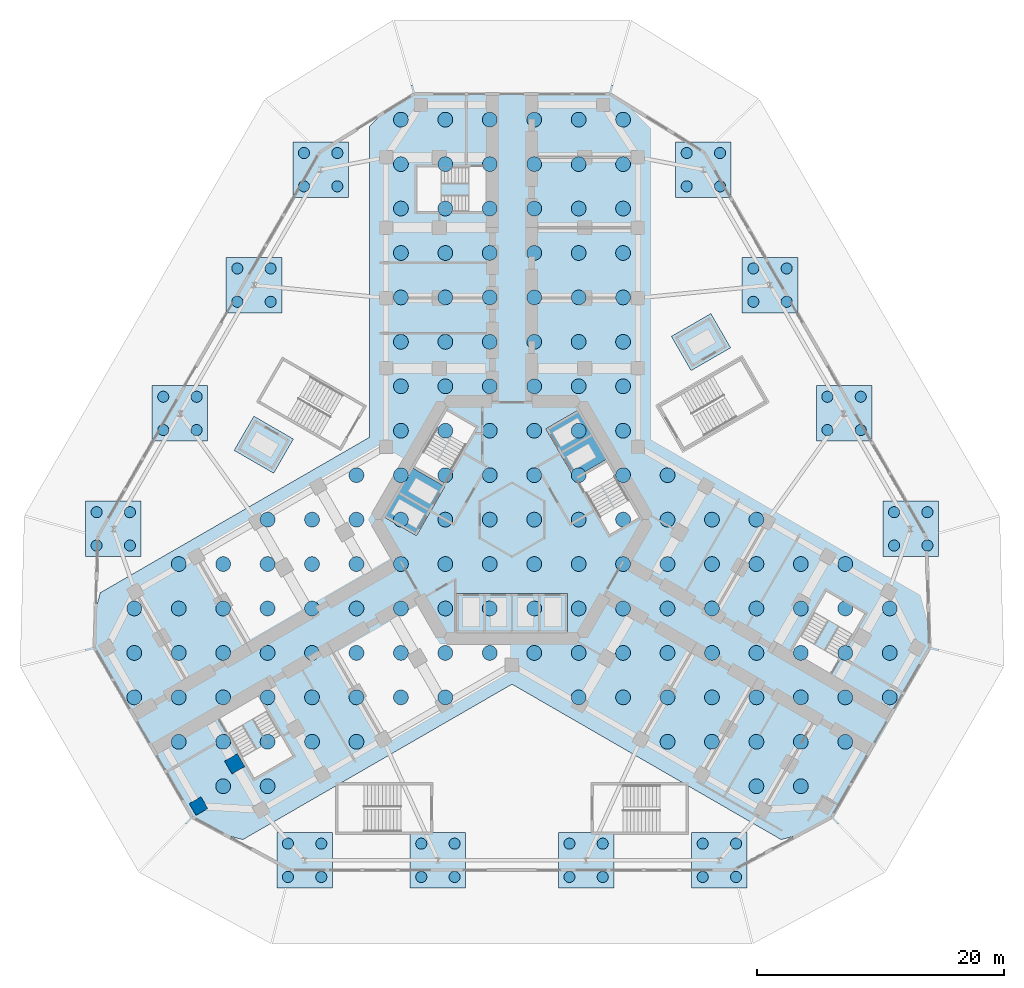
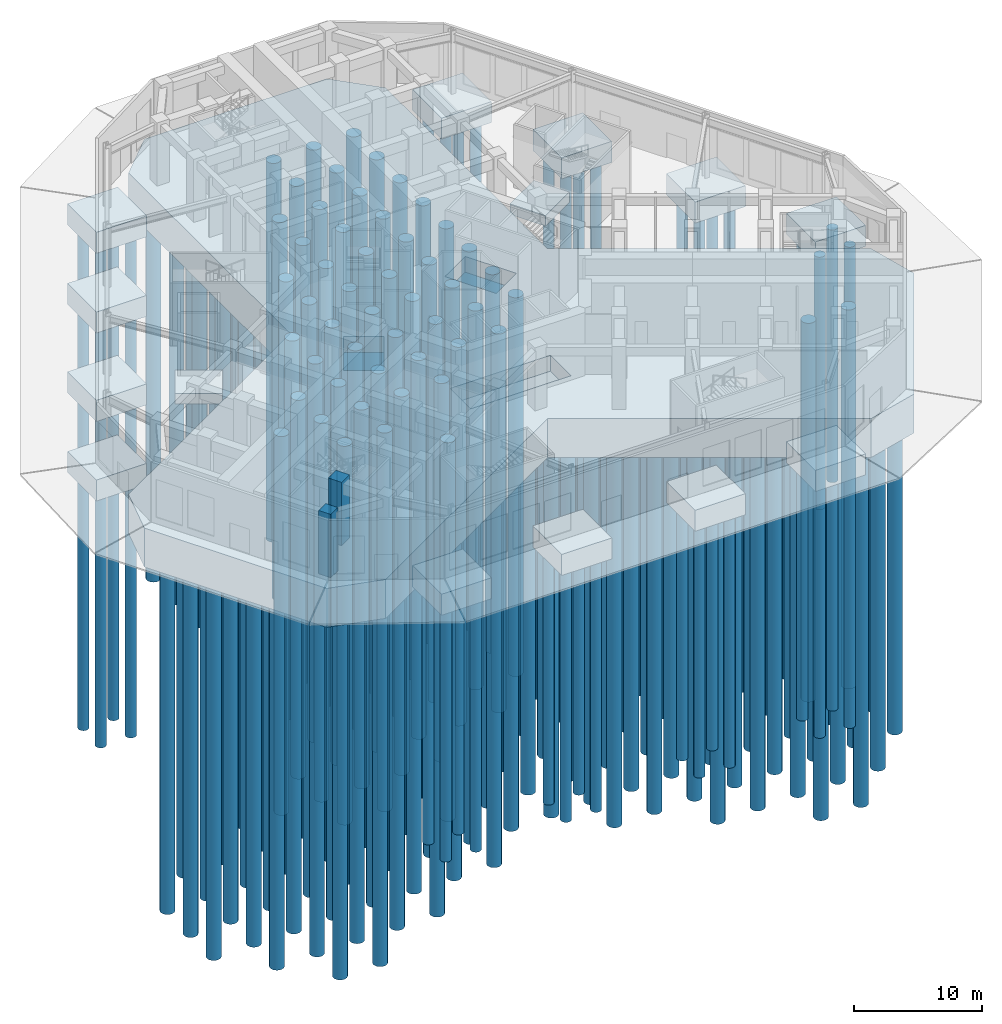
# One storey, part 1 of 16: 198 piles, 18 footings, 2 columns.
"""IFC4 building model written with IfcOpenShell, lengths in metres."""

from ifc_helpers import new_model, si_unit, direction, frame, origin, origin_2d, place, context, subcontext, project, spatial, polyline, rectangle, circle, outline, extrude, material, layer, layer_set, material_profile, profile_set, type_object, element, save


model = new_model("IFC4")

# Units and contexts
model_context = context("Model", 3, precision=1e-05, world=origin(), true_north=direction((0.0, 1.0)))
body_context = subcontext(model_context, "Body", "Model", "MODEL_VIEW")
ifc_project = project(units=[si_unit("LENGTHUNIT", "METRE"), si_unit("AREAUNIT", "SQUARE_METRE"), si_unit("VOLUMEUNIT", "CUBIC_METRE"), si_unit("PLANEANGLEUNIT", "RADIAN"), si_unit("MASSUNIT", "GRAM", prefix="KILO")], contexts=[model_context])

# Site, building, storey
site_placement = place(None, origin())
site = spatial("IfcSite", under=ifc_project, at=site_placement, CompositionType="ELEMENT")
building_placement = place(site_placement, origin())
building = spatial("IfcBuilding", under=site, at=building_placement, Name="Kosmar Iwan School Tower", CompositionType="ELEMENT")
storey_placement = place(building_placement, origin())
storey = spatial("IfcBuildingStorey", under=building, at=storey_placement, Name="L00", CompositionType="ELEMENT", Elevation=0.0)

# Piles
ifc_material_1 = material(Name="Concrete C35/45", Category="concrete")
ifc_material_profile_1 = material_profile(ifc_material_1, circle(Radius=0.60009765625, at=origin_2d()), Name="D1200")
ifc_profile_set_1 = profile_set([ifc_material_profile_1], Name="Concrete C35/45")
pile_type_1 = type_object("IfcPileType", Name="Bored pile D1200", PredefinedType="BORED", material=ifc_profile_set_1)
for number, where, z_axis, x_axis, name in (
    (1, (-23.39990234375, -21.60009765625, -4.0), (0.0, 0.0, -1.0), (1.0, 0.0, 0.0), "Raft pile 1"),
    (2, (-19.800048828125, -21.60009765625, -4.0), (0.0, 0.0, -1.0), (1.0, 0.0, 0.0), "Raft pile 2"),
    (3, (19.800048828125, -21.60009765625, -4.0), (0.0, 0.0, -1.0), (1.0, 0.0, 0.0), "Raft pile 3"),
    (4, (23.39990234375, -21.60009765625, -4.0), (0.0, 0.0, -1.0), (1.0, 0.0, 0.0), "Raft pile 4"),
    (5, (-27.0, -18.0, -4.0), (0.0, 0.0, -1.0), (1.0, 0.0, 0.0), "Raft pile 5"),
    (6, (-23.39990234375, -18.0, -4.0), (0.0, 0.0, -1.0), (1.0, 0.0, 0.0), "Raft pile 6"),
    (7, (-19.800048828125, -18.0, -4.0), (0.0, 0.0, -1.0), (1.0, 0.0, 0.0), "Raft pile 7"),
    (8, (-16.199951171875, -18.0, -4.0), (0.0, 0.0, -1.0), (1.0, 0.0, 0.0), "Raft pile 8"),
    (9, (-12.60009765625, -18.0, -4.0), (0.0, 0.0, -1.0), (1.0, 0.0, 0.0), "Raft pile 9"),
    (10, (12.60009765625, -18.0, -4.0), (0.0, 0.0, -1.0), (1.0, 0.0, 0.0), "Raft pile 10"),
    (11, (16.199951171875, -18.0, -4.0), (0.0, 0.0, -1.0), (1.0, 0.0, 0.0), "Raft pile 11"),
    (12, (19.800048828125, -18.0, -4.0), (0.0, 0.0, -1.0), (1.0, 0.0, 0.0), "Raft pile 12"),
    (13, (23.39990234375, -18.0, -4.0), (0.0, 0.0, -1.0), (1.0, 0.0, 0.0), "Raft pile 13"),
    (14, (27.0, -18.0, -4.0), (0.0, 0.0, -1.0), (1.0, 0.0, 0.0), "Raft pile 14"),
    (15, (-30.60009765625, -14.39990234375, -4.0), (0.0, 0.0, -1.0), (1.0, 0.0, 0.0), "Raft pile 15"),
    (16, (-27.0, -14.39990234375, -4.0), (0.0, 0.0, -1.0), (1.0, 0.0, 0.0), "Raft pile 16"),
    (17, (-23.39990234375, -14.39990234375, -4.0), (0.0, 0.0, -1.0), (1.0, 0.0, 0.0), "Raft pile 17"),
    (18, (-19.800048828125, -14.39990234375, -4.0), (0.0, 0.0, -1.0), (1.0, 0.0, 0.0), "Raft pile 18"),
    (19, (-16.199951171875, -14.39990234375, -4.0), (0.0, 0.0, -1.0), (1.0, 0.0, 0.0), "Raft pile 19"),
    (20, (-12.60009765625, -14.39990234375, -4.0), (0.0, 0.0, -1.0), (1.0, 0.0, 0.0), "Raft pile 20"),
    (21, (-9.0, -14.39990234375, -4.0), (0.0, 0.0, -1.0), (1.0, 0.0, 0.0), "Raft pile 21"),
    (22, (-5.39990234375, -14.39990234375, -4.0), (0.0, 0.0, -1.0), (1.0, 0.0, 0.0), "Raft pile 22"),
    (23, (5.39990234375, -14.39990234375, -4.0), (0.0, 0.0, -1.0), (1.0, 0.0, 0.0), "Raft pile 23"),
    (24, (9.0, -14.39990234375, -4.0), (0.0, 0.0, -1.0), (1.0, 0.0, 0.0), "Raft pile 24"),
    (25, (12.60009765625, -14.39990234375, -4.0), (0.0, 0.0, -1.0), (1.0, 0.0, 0.0), "Raft pile 25"),
    (26, (16.199951171875, -14.39990234375, -4.0), (0.0, 0.0, -1.0), (1.0, 0.0, 0.0), "Raft pile 26"),
    (27, (19.800048828125, -14.39990234375, -4.0), (0.0, 0.0, -1.0), (1.0, 0.0, 0.0), "Raft pile 27"),
    (28, (23.39990234375, -14.39990234375, -4.0), (0.0, 0.0, -1.0), (1.0, 0.0, 0.0), "Raft pile 28"),
    (29, (27.0, -14.39990234375, -4.0), (0.0, 0.0, -1.0), (1.0, 0.0, 0.0), "Raft pile 29"),
    (30, (30.60009765625, -14.39990234375, -4.0), (0.0, 0.0, -1.0), (1.0, 0.0, 0.0), "Raft pile 30"),
    (31, (-30.60009765625, -10.800048828125, -4.0), (0.0, 0.0, -1.0), (1.0, 0.0, 0.0), "Raft pile 31"),
    (32, (-27.0, -10.800048828125, -4.0), (0.0, 0.0, -1.0), (1.0, 0.0, 0.0), "Raft pile 32"),
    (33, (-23.39990234375, -10.800048828125, -4.0), (0.0, 0.0, -1.0), (1.0, 0.0, 0.0), "Raft pile 33"),
    (34, (-19.800048828125, -10.800048828125, -4.0), (0.0, 0.0, -1.0), (1.0, 0.0, 0.0), "Raft pile 34"),
    (35, (-16.199951171875, -10.800048828125, -4.0), (0.0, 0.0, -1.0), (1.0, 0.0, 0.0), "Raft pile 35"),
    (36, (-12.60009765625, -10.800048828125, -4.0), (0.0, 0.0, -1.0), (1.0, 0.0, 0.0), "Raft pile 36"),
    (37, (-9.0, -10.800048828125, -4.0), (0.0, 0.0, -1.0), (1.0, 0.0, 0.0), "Raft pile 37"),
    (38, (-5.39990234375, -10.800048828125, -4.0), (0.0, 0.0, -1.0), (1.0, 0.0, 0.0), "Raft pile 38"),
    (39, (-1.800048828125, -10.800048828125, -4.0), (0.0, 0.0, -1.0), (1.0, 0.0, 0.0), "Raft pile 39"),
    (40, (1.800048828125, -10.800048828125, -4.0), (0.0, 0.0, -1.0), (1.0, 0.0, 0.0), "Raft pile 40"),
    (41, (5.39990234375, -10.800048828125, -4.0), (0.0, 0.0, -1.0), (1.0, 0.0, 0.0), "Raft pile 41"),
    (42, (9.0, -10.800048828125, -4.0), (0.0, 0.0, -1.0), (1.0, 0.0, 0.0), "Raft pile 42"),
    (43, (12.60009765625, -10.800048828125, -4.0), (0.0, 0.0, -1.0), (1.0, 0.0, 0.0), "Raft pile 43"),
    (44, (16.199951171875, -10.800048828125, -4.0), (0.0, 0.0, -1.0), (1.0, 0.0, 0.0), "Raft pile 44"),
    (45, (19.800048828125, -10.800048828125, -4.0), (0.0, 0.0, -1.0), (1.0, 0.0, 0.0), "Raft pile 45"),
    (46, (23.39990234375, -10.800048828125, -4.0), (0.0, 0.0, -1.0), (1.0, 0.0, 0.0), "Raft pile 46"),
    (47, (27.0, -10.800048828125, -4.0), (0.0, 0.0, -1.0), (1.0, 0.0, 0.0), "Raft pile 47"),
    (48, (30.60009765625, -10.800048828125, -4.0), (0.0, 0.0, -1.0), (1.0, 0.0, 0.0), "Raft pile 48"),
    (49, (-30.60009765625, -7.199951171875, -4.0), (0.0, 0.0, -1.0), (1.0, 0.0, 0.0), "Raft pile 49"),
    (50, (-27.0, -7.199951171875, -4.0), (0.0, 0.0, -1.0), (1.0, 0.0, 0.0), "Raft pile 50"),
    (51, (-23.39990234375, -7.199951171875, -4.0), (0.0, 0.0, -1.0), (1.0, 0.0, 0.0), "Raft pile 51"),
    (52, (-19.800048828125, -7.199951171875, -4.0), (0.0, 0.0, -1.0), (1.0, 0.0, 0.0), "Raft pile 52"),
    (53, (-16.199951171875, -7.199951171875, -4.0), (0.0, 0.0, -1.0), (1.0, 0.0, 0.0), "Raft pile 53"),
    (54, (-12.60009765625, -7.199951171875, -4.0), (0.0, 0.0, -1.0), (1.0, 0.0, 0.0), "Raft pile 54"),
    (55, (-9.0, -7.199951171875, -4.0), (0.0, 0.0, -1.0), (1.0, 0.0, 0.0), "Raft pile 55"),
    (56, (-5.39990234375, -7.199951171875, -4.0), (0.0, 0.0, -1.0), (1.0, 0.0, 0.0), "Raft pile 56"),
    (57, (-1.800048828125, -7.199951171875, -4.0), (0.0, 0.0, -1.0), (1.0, 0.0, 0.0), "Raft pile 57"),
    (58, (1.800048828125, -7.199951171875, -4.0), (0.0, 0.0, -1.0), (1.0, 0.0, 0.0), "Raft pile 58"),
    (59, (5.39990234375, -7.199951171875, -4.0), (0.0, 0.0, -1.0), (1.0, 0.0, 0.0), "Raft pile 59"),
    (60, (9.0, -7.199951171875, -4.0), (0.0, 0.0, -1.0), (1.0, 0.0, 0.0), "Raft pile 60"),
    (61, (12.60009765625, -7.199951171875, -4.0), (0.0, 0.0, -1.0), (1.0, 0.0, 0.0), "Raft pile 61"),
    (62, (16.199951171875, -7.199951171875, -4.0), (0.0, 0.0, -1.0), (1.0, 0.0, 0.0), "Raft pile 62"),
    (63, (19.800048828125, -7.199951171875, -4.0), (0.0, 0.0, -1.0), (1.0, 0.0, 0.0), "Raft pile 63"),
    (64, (23.39990234375, -7.199951171875, -4.0), (0.0, 0.0, -1.0), (1.0, 0.0, 0.0), "Raft pile 64"),
    (65, (27.0, -7.199951171875, -4.0), (0.0, 0.0, -1.0), (1.0, 0.0, 0.0), "Raft pile 65"),
    (66, (30.60009765625, -7.199951171875, -4.0), (0.0, 0.0, -1.0), (1.0, 0.0, 0.0), "Raft pile 66"),
    (67, (-27.0, -3.60009765625, -4.0), (0.0, 0.0, -1.0), (1.0, 0.0, 0.0), "Raft pile 67"),
    (68, (-23.39990234375, -3.60009765625, -4.0), (0.0, 0.0, -1.0), (1.0, 0.0, 0.0), "Raft pile 68"),
    (69, (-19.800048828125, -3.60009765625, -4.0), (0.0, 0.0, -1.0), (1.0, 0.0, 0.0), "Raft pile 69"),
    (70, (-16.199951171875, -3.60009765625, -4.0), (0.0, 0.0, -1.0), (1.0, 0.0, 0.0), "Raft pile 70"),
    (71, (-12.60009765625, -3.60009765625, -4.0), (0.0, 0.0, -1.0), (1.0, 0.0, 0.0), "Raft pile 71"),
    (72, (-9.0, -3.60009765625, -4.0), (0.0, 0.0, -1.0), (1.0, 0.0, 0.0), "Raft pile 72"),
    (73, (-5.39990234375, -3.60009765625, -4.0), (0.0, 0.0, -1.0), (1.0, 0.0, 0.0), "Raft pile 73"),
    (74, (-1.800048828125, -3.60009765625, -4.0), (0.0, 0.0, -1.0), (1.0, 0.0, 0.0), "Raft pile 74"),
    (75, (1.800048828125, -3.60009765625, -4.0), (0.0, 0.0, -1.0), (1.0, 0.0, 0.0), "Raft pile 75"),
    (76, (5.39990234375, -3.60009765625, -4.0), (0.0, 0.0, -1.0), (1.0, 0.0, 0.0), "Raft pile 76"),
    (77, (9.0, -3.60009765625, -4.0), (0.0, 0.0, -1.0), (1.0, 0.0, 0.0), "Raft pile 77"),
    (78, (12.60009765625, -3.60009765625, -4.0), (0.0, 0.0, -1.0), (1.0, 0.0, 0.0), "Raft pile 78"),
    (79, (16.199951171875, -3.60009765625, -4.0), (0.0, 0.0, -1.0), (1.0, 0.0, 0.0), "Raft pile 79"),
    (80, (19.800048828125, -3.60009765625, -4.0), (0.0, 0.0, -1.0), (1.0, 0.0, 0.0), "Raft pile 80"),
    (81, (23.39990234375, -3.60009765625, -4.0), (0.0, 0.0, -1.0), (1.0, 0.0, 0.0), "Raft pile 81"),
    (82, (27.0, -3.60009765625, -4.0), (0.0, 0.0, -1.0), (1.0, 0.0, 0.0), "Raft pile 82"),
    (83, (-19.800048828125, 0.0, -4.0), (0.0, 0.0, -1.0), (1.0, 0.0, 0.0), "Raft pile 83"),
    (84, (-16.199951171875, 0.0, -4.0), (0.0, 0.0, -1.0), (1.0, 0.0, 0.0), "Raft pile 84"),
    (85, (-12.60009765625, 0.0, -4.0), (0.0, 0.0, -1.0), (1.0, 0.0, 0.0), "Raft pile 85"),
    (86, (-9.0, 0.0, -4.0), (0.0, 0.0, -1.0), (1.0, 0.0, 0.0), "Raft pile 86"),
    (87, (-5.39990234375, 0.0, -4.0), (0.0, 0.0, -1.0), (1.0, 0.0, 0.0), "Raft pile 87"),
    (88, (-1.800048828125, 0.0, -4.0), (0.0, 0.0, -1.0), (1.0, 0.0, 0.0), "Raft pile 88"),
    (89, (1.800048828125, 0.0, -4.0), (0.0, 0.0, -1.0), (1.0, 0.0, 0.0), "Raft pile 89"),
    (90, (5.39990234375, 0.0, -4.0), (0.0, 0.0, -1.0), (1.0, 0.0, 0.0), "Raft pile 90"),
    (91, (9.0, 0.0, -4.0), (0.0, 0.0, -1.0), (1.0, 0.0, 0.0), "Raft pile 91"),
    (92, (12.60009765625, 0.0, -4.0), (0.0, 0.0, -1.0), (1.0, 0.0, 0.0), "Raft pile 92"),
    (93, (16.199951171875, 0.0, -4.0), (0.0, 0.0, -1.0), (1.0, 0.0, 0.0), "Raft pile 93"),
    (94, (19.800048828125, 0.0, -4.0), (0.0, 0.0, -1.0), (1.0, 0.0, 0.0), "Raft pile 94"),
    (95, (-12.60009765625, 3.60009765625, -4.0), (0.0, 0.0, -1.0), (1.0, 0.0, 0.0), "Raft pile 95"),
    (96, (-9.0, 3.60009765625, -4.0), (0.0, 0.0, -1.0), (1.0, 0.0, 0.0), "Raft pile 96"),
    (97, (-5.39990234375, 3.60009765625, -4.0), (0.0, 0.0, -1.0), (1.0, 0.0, 0.0), "Raft pile 97"),
    (98, (-1.800048828125, 3.60009765625, -4.0), (0.0, 0.0, -1.0), (1.0, 0.0, 0.0), "Raft pile 98"),
    (99, (1.800048828125, 3.60009765625, -4.0), (0.0, 0.0, -1.0), (1.0, 0.0, 0.0), "Raft pile 99"),
    (100, (5.39990234375, 3.60009765625, -4.0), (0.0, 0.0, -1.0), (1.0, 0.0, 0.0), "Raft pile 100"),
    (101, (9.0, 3.60009765625, -4.0), (0.0, 0.0, -1.0), (1.0, 0.0, 0.0), "Raft pile 101"),
    (102, (12.60009765625, 3.60009765625, -4.0), (0.0, 0.0, -1.0), (1.0, 0.0, 0.0), "Raft pile 102"),
    (103, (-9.0, 7.199951171875, -4.0), (0.0, 0.0, -1.0), (1.0, 0.0, 0.0), "Raft pile 103"),
    (104, (-5.39990234375, 7.199951171875, -4.0), (0.0, 0.0, -1.0), (1.0, 0.0, 0.0), "Raft pile 104"),
    (105, (-1.800048828125, 7.199951171875, -4.0), (0.0, 0.0, -1.0), (1.0, 0.0, 0.0), "Raft pile 105"),
    (106, (1.800048828125, 7.199951171875, -4.0), (0.0, 0.0, -1.0), (1.0, 0.0, 0.0), "Raft pile 106"),
    (107, (5.39990234375, 7.199951171875, -4.0), (0.0, 0.0, -1.0), (1.0, 0.0, 0.0), "Raft pile 107"),
    (108, (9.0, 7.199951171875, -4.0), (0.0, 0.0, -1.0), (1.0, 0.0, 0.0), "Raft pile 108"),
    (109, (-9.0, 10.800048828125, -4.0), (0.0, 0.0, -1.0), (1.0, 0.0, 0.0), "Raft pile 109"),
    (110, (-5.39990234375, 10.800048828125, -4.0), (0.0, 0.0, -1.0), (1.0, 0.0, 0.0), "Raft pile 110"),
    (111, (-1.800048828125, 10.800048828125, -4.0), (0.0, 0.0, -1.0), (1.0, 0.0, 0.0), "Raft pile 111"),
    (112, (1.800048828125, 10.800048828125, -4.0), (0.0, 0.0, -1.0), (1.0, 0.0, 0.0), "Raft pile 112"),
    (113, (5.39990234375, 10.800048828125, -4.0), (0.0, 0.0, -1.0), (1.0, 0.0, 0.0), "Raft pile 113"),
    (114, (9.0, 10.800048828125, -4.0), (0.0, 0.0, -1.0), (1.0, 0.0, 0.0), "Raft pile 114"),
    (115, (-9.0, 14.39990234375, -4.0), (0.0, 0.0, -1.0), (1.0, 0.0, 0.0), "Raft pile 115"),
    (116, (-5.39990234375, 14.39990234375, -4.0), (0.0, 0.0, -1.0), (1.0, 0.0, 0.0), "Raft pile 116"),
    (117, (-1.800048828125, 14.39990234375, -4.0), (0.0, 0.0, -1.0), (1.0, 0.0, 0.0), "Raft pile 117"),
    (118, (1.800048828125, 14.39990234375, -4.0), (0.0, 0.0, -1.0), (1.0, 0.0, 0.0), "Raft pile 118"),
    (119, (5.39990234375, 14.39990234375, -4.0), (0.0, 0.0, -1.0), (1.0, 0.0, 0.0), "Raft pile 119"),
    (120, (9.0, 14.39990234375, -4.0), (0.0, 0.0, -1.0), (1.0, 0.0, 0.0), "Raft pile 120"),
    (121, (-9.0, 18.0, -4.0), (0.0, 0.0, -1.0), (1.0, 0.0, 0.0), "Raft pile 121"),
    (122, (-5.39990234375, 18.0, -4.0), (0.0, 0.0, -1.0), (1.0, 0.0, 0.0), "Raft pile 122"),
    (123, (-1.800048828125, 18.0, -4.0), (0.0, 0.0, -1.0), (1.0, 0.0, 0.0), "Raft pile 123"),
    (124, (1.800048828125, 18.0, -4.0), (0.0, 0.0, -1.0), (1.0, 0.0, 0.0), "Raft pile 124"),
    (125, (5.39990234375, 18.0, -4.0), (0.0, 0.0, -1.0), (1.0, 0.0, 0.0), "Raft pile 125"),
    (126, (9.0, 18.0, -4.0), (0.0, 0.0, -1.0), (1.0, 0.0, 0.0), "Raft pile 126"),
    (127, (-9.0, 21.60009765625, -4.0), (0.0, 0.0, -1.0), (1.0, 0.0, 0.0), "Raft pile 127"),
    (128, (-5.39990234375, 21.60009765625, -4.0), (0.0, 0.0, -1.0), (1.0, 0.0, 0.0), "Raft pile 128"),
    (129, (-1.800048828125, 21.60009765625, -4.0), (0.0, 0.0, -1.0), (1.0, 0.0, 0.0), "Raft pile 129"),
    (130, (1.800048828125, 21.60009765625, -4.0), (0.0, 0.0, -1.0), (1.0, 0.0, 0.0), "Raft pile 130"),
    (131, (5.39990234375, 21.60009765625, -4.0), (0.0, 0.0, -1.0), (1.0, 0.0, 0.0), "Raft pile 131"),
    (132, (9.0, 21.60009765625, -4.0), (0.0, 0.0, -1.0), (1.0, 0.0, 0.0), "Raft pile 132"),
    (133, (-9.0, 25.199951171875, -4.0), (0.0, 0.0, -1.0), (1.0, 0.0, 0.0), "Raft pile 133"),
    (134, (-5.39990234375, 25.199951171875, -4.0), (0.0, 0.0, -1.0), (1.0, 0.0, 0.0), "Raft pile 134"),
    (135, (-1.800048828125, 25.199951171875, -4.0), (0.0, 0.0, -1.0), (1.0, 0.0, 0.0), "Raft pile 135"),
    (136, (1.800048828125, 25.199951171875, -4.0), (0.0, 0.0, -1.0), (1.0, 0.0, 0.0), "Raft pile 136"),
    (137, (5.39990234375, 25.199951171875, -4.0), (0.0, 0.0, -1.0), (1.0, 0.0, 0.0), "Raft pile 137"),
    (138, (9.0, 25.199951171875, -4.0), (0.0, 0.0, -1.0), (1.0, 0.0, 0.0), "Raft pile 138"),
    (139, (-9.0, 28.800048828125, -4.0), (0.0, 0.0, -1.0), (1.0, 0.0, 0.0), "Raft pile 139"),
    (140, (-5.39990234375, 28.800048828125, -4.0), (0.0, 0.0, -1.0), (1.0, 0.0, 0.0), "Raft pile 140"),
    (141, (-1.800048828125, 28.800048828125, -4.0), (0.0, 0.0, -1.0), (1.0, 0.0, 0.0), "Raft pile 141"),
    (142, (1.800048828125, 28.800048828125, -4.0), (0.0, 0.0, -1.0), (1.0, 0.0, 0.0), "Raft pile 142"),
    (143, (5.39990234375, 28.800048828125, -4.0), (0.0, 0.0, -1.0), (1.0, 0.0, 0.0), "Raft pile 143"),
    (144, (9.0, 28.800048828125, -4.0), (0.0, 0.0, -1.0), (1.0, 0.0, 0.0), "Raft pile 144"),
    (145, (-9.0, 32.39990234375, -4.0), (0.0, 0.0, -1.0), (1.0, 0.0, 0.0), "Raft pile 145"),
    (146, (-5.39990234375, 32.39990234375, -4.0), (0.0, 0.0, -1.0), (1.0, 0.0, 0.0), "Raft pile 146"),
    (147, (-1.800048828125, 32.39990234375, -4.0), (0.0, 0.0, -1.0), (1.0, 0.0, 0.0), "Raft pile 147"),
    (148, (1.800048828125, 32.39990234375, -4.0), (0.0, 0.0, -1.0), (1.0, 0.0, 0.0), "Raft pile 148"),
    (149, (5.39990234375, 32.39990234375, -4.0), (0.0, 0.0, -1.0), (1.0, 0.0, 0.0), "Raft pile 149"),
    (150, (9.0, 32.39990234375, -4.0), (0.0, 0.0, -1.0), (1.0, 0.0, 0.0), "Raft pile 150"),
):
    element("IfcPile", number, at=place(storey_placement, frame(where, z_axis=z_axis, x_axis=x_axis)), inside=storey, type_object=pile_type_1, Name=name, PredefinedType="BORED", context=body_context, shape_type="SweptSolid", body=[
        extrude(circle(Radius=0.60009765625, at=origin_2d()), origin(), (0.0, 0.0, 1.0), 36.0),
    ])
ifc_material_2 = material(Name="Concrete C35/45", Category="concrete")
ifc_material_profile_2 = material_profile(ifc_material_2, circle(Radius=0.449951171875, at=origin_2d()), Name="D900")
ifc_profile_set_2 = profile_set([ifc_material_profile_2], Name="Concrete C35/45")
pile_type_2 = type_object("IfcPileType", Name="Bored pile D900", PredefinedType="BORED", material=ifc_profile_set_2)
for number, where, z_axis, x_axis, name in (
    (151, (-33.65234375, -2.09912109375, -2.300048828125), (0.0, 0.0, -1.0), (1.0, 0.0, 0.0), "Cap pile AB1.1"),
    (152, (-30.952392578125, -2.09912109375, -2.300048828125), (0.0, 0.0, -1.0), (1.0, 0.0, 0.0), "Cap pile AB1.2"),
    (153, (-30.952392578125, 0.600830078125, -2.300048828125), (0.0, 0.0, -1.0), (1.0, 0.0, 0.0), "Cap pile AB1.3"),
    (154, (-33.65234375, 0.600830078125, -2.300048828125), (0.0, 0.0, -1.0), (1.0, 0.0, 0.0), "Cap pile AB1.4"),
    (155, (-28.252197265625, 7.25390625, -2.300048828125), (0.0, 0.0, -1.0), (1.0, 0.0, 0.0), "Cap pile AB2.1"),
    (156, (-25.55224609375, 7.25390625, -2.300048828125), (0.0, 0.0, -1.0), (1.0, 0.0, 0.0), "Cap pile AB2.2"),
    (157, (-25.55224609375, 9.953857421875, -2.300048828125), (0.0, 0.0, -1.0), (1.0, 0.0, 0.0), "Cap pile AB2.3"),
    (158, (-28.252197265625, 9.953857421875, -2.300048828125), (0.0, 0.0, -1.0), (1.0, 0.0, 0.0), "Cap pile AB2.4"),
    (159, (-22.252197265625, 17.646240234375, -2.300048828125), (0.0, 0.0, -1.0), (1.0, 0.0, 0.0), "Cap pile AB3.1"),
    (160, (-19.55224609375, 17.646240234375, -2.300048828125), (0.0, 0.0, -1.0), (1.0, 0.0, 0.0), "Cap pile AB3.2"),
    (161, (-19.55224609375, 20.34619140625, -2.300048828125), (0.0, 0.0, -1.0), (1.0, 0.0, 0.0), "Cap pile AB3.3"),
    (162, (-22.252197265625, 20.34619140625, -2.300048828125), (0.0, 0.0, -1.0), (1.0, 0.0, 0.0), "Cap pile AB3.4"),
    (163, (-16.852294921875, 26.999267578125, -2.300048828125), (0.0, 0.0, -1.0), (1.0, 0.0, 0.0), "Cap pile AB4.1"),
    (164, (-14.15234375, 26.999267578125, -2.300048828125), (0.0, 0.0, -1.0), (1.0, 0.0, 0.0), "Cap pile AB4.2"),
    (165, (-14.15234375, 29.69921875, -2.300048828125), (0.0, 0.0, -1.0), (1.0, 0.0, 0.0), "Cap pile AB4.3"),
    (166, (-16.852294921875, 29.69921875, -2.300048828125), (0.0, 0.0, -1.0), (1.0, 0.0, 0.0), "Cap pile AB4.4"),
    (167, (14.15234375, 26.999267578125, -2.300048828125), (0.0, 0.0, -1.0), (1.0, 0.0, 0.0), "Cap pile AC1.1"),
    (168, (16.852294921875, 26.999267578125, -2.300048828125), (0.0, 0.0, -1.0), (1.0, 0.0, 0.0), "Cap pile AC1.2"),
    (169, (16.852294921875, 29.69921875, -2.300048828125), (0.0, 0.0, -1.0), (1.0, 0.0, 0.0), "Cap pile AC1.3"),
    (170, (14.15234375, 29.69921875, -2.300048828125), (0.0, 0.0, -1.0), (1.0, 0.0, 0.0), "Cap pile AC1.4"),
    (171, (19.55224609375, 17.646240234375, -2.300048828125), (0.0, 0.0, -1.0), (1.0, 0.0, 0.0), "Cap pile AC2.1"),
    (172, (22.252197265625, 17.646240234375, -2.300048828125), (0.0, 0.0, -1.0), (1.0, 0.0, 0.0), "Cap pile AC2.2"),
    (173, (22.252197265625, 20.34619140625, -2.300048828125), (0.0, 0.0, -1.0), (1.0, 0.0, 0.0), "Cap pile AC2.3"),
    (174, (19.55224609375, 20.34619140625, -2.300048828125), (0.0, 0.0, -1.0), (1.0, 0.0, 0.0), "Cap pile AC2.4"),
    (175, (25.55224609375, 7.25390625, -2.300048828125), (0.0, 0.0, -1.0), (1.0, 0.0, 0.0), "Cap pile AC3.1"),
    (176, (28.252197265625, 7.25390625, -2.300048828125), (0.0, 0.0, -1.0), (1.0, 0.0, 0.0), "Cap pile AC3.2"),
    (177, (28.252197265625, 9.953857421875, -2.300048828125), (0.0, 0.0, -1.0), (1.0, 0.0, 0.0), "Cap pile AC3.3"),
    (178, (25.55224609375, 9.953857421875, -2.300048828125), (0.0, 0.0, -1.0), (1.0, 0.0, 0.0), "Cap pile AC3.4"),
    (179, (30.952392578125, -2.09912109375, -2.300048828125), (0.0, 0.0, -1.0), (1.0, 0.0, 0.0), "Cap pile AC4.1"),
    (180, (33.65234375, -2.09912109375, -2.300048828125), (0.0, 0.0, -1.0), (1.0, 0.0, 0.0), "Cap pile AC4.2"),
    (181, (33.65234375, 0.600830078125, -2.300048828125), (0.0, 0.0, -1.0), (1.0, 0.0, 0.0), "Cap pile AC4.3"),
    (182, (30.952392578125, 0.600830078125, -2.300048828125), (0.0, 0.0, -1.0), (1.0, 0.0, 0.0), "Cap pile AC4.4"),
    (183, (15.449951171875, -28.949951171875, -2.300048828125), (0.0, 0.0, -1.0), (1.0, 0.0, 0.0), "Cap pile BC1.1"),
    (184, (18.14990234375, -28.949951171875, -2.300048828125), (0.0, 0.0, -1.0), (1.0, 0.0, 0.0), "Cap pile BC1.2"),
    (185, (18.14990234375, -26.25, -2.300048828125), (0.0, 0.0, -1.0), (1.0, 0.0, 0.0), "Cap pile BC1.3"),
    (186, (15.449951171875, -26.25, -2.300048828125), (0.0, 0.0, -1.0), (1.0, 0.0, 0.0), "Cap pile BC1.4"),
    (187, (4.64990234375, -28.949951171875, -2.300048828125), (0.0, 0.0, -1.0), (1.0, 0.0, 0.0), "Cap pile BC2.1"),
    (188, (7.35009765625, -28.949951171875, -2.300048828125), (0.0, 0.0, -1.0), (1.0, 0.0, 0.0), "Cap pile BC2.2"),
    (189, (7.35009765625, -26.25, -2.300048828125), (0.0, 0.0, -1.0), (1.0, 0.0, 0.0), "Cap pile BC2.3"),
    (190, (4.64990234375, -26.25, -2.300048828125), (0.0, 0.0, -1.0), (1.0, 0.0, 0.0), "Cap pile BC2.4"),
    (191, (-7.35009765625, -28.949951171875, -2.300048828125), (0.0, 0.0, -1.0), (1.0, 0.0, 0.0), "Cap pile BC3.1"),
    (192, (-4.64990234375, -28.949951171875, -2.300048828125), (0.0, 0.0, -1.0), (1.0, 0.0, 0.0), "Cap pile BC3.2"),
    (193, (-4.64990234375, -26.25, -2.300048828125), (0.0, 0.0, -1.0), (1.0, 0.0, 0.0), "Cap pile BC3.3"),
    (194, (-7.35009765625, -26.25, -2.300048828125), (0.0, 0.0, -1.0), (1.0, 0.0, 0.0), "Cap pile BC3.4"),
    (195, (-18.14990234375, -28.949951171875, -2.300048828125), (0.0, 0.0, -1.0), (1.0, 0.0, 0.0), "Cap pile BC4.1"),
    (196, (-15.449951171875, -28.949951171875, -2.300048828125), (0.0, 0.0, -1.0), (1.0, 0.0, 0.0), "Cap pile BC4.2"),
    (197, (-15.449951171875, -26.25, -2.300048828125), (0.0, 0.0, -1.0), (1.0, 0.0, 0.0), "Cap pile BC4.3"),
    (198, (-18.14990234375, -26.25, -2.300048828125), (0.0, 0.0, -1.0), (1.0, 0.0, 0.0), "Cap pile BC4.4"),
):
    element("IfcPile", number, at=place(storey_placement, frame(where, z_axis=z_axis, x_axis=x_axis)), inside=storey, type_object=pile_type_2, Name=name, PredefinedType="BORED", context=body_context, shape_type="SweptSolid", body=[
        extrude(circle(Radius=0.449951171875, at=origin_2d()), origin(), (0.0, 0.0, 1.0), 24.0),
    ])

# Footings
ifc_material_3 = material(Name="Concrete C50/60", Category="concrete")
ifc_layer_1 = layer(ifc_material_3, 1.0)
ifc_layer_set_1 = layer_set([ifc_layer_1], Name="Lift pit base 3700x3300")
footing_type_1 = type_object("IfcFootingType", Name="Lift pit base 3700x3300", PredefinedType="PAD_FOOTING", material=ifc_layer_set_1)
footing_1_placement = place(storey_placement, frame((0.0, 0.0, -2.5)))
element("IfcFooting", 199, at=footing_1_placement, inside=storey, type_object=footing_type_1, Name="Lift pit base SL1", PredefinedType="PAD_FOOTING", context=body_context, shape_type="SweptSolid", body=[
    extrude(outline(polyline([(14.508056640625, 12.0712890625), (17.71240234375, 13.92138671875), (16.1123046875, 16.692626953125), (12.907958984375, 14.842529296875), (14.508056640625, 12.0712890625)])), origin(), (0.0, 0.0, 1.0), 1.0),
])
footing_2_placement = place(storey_placement, frame((0.0, 0.0, -2.5)))
element("IfcFooting", 200, at=footing_2_placement, inside=storey, type_object=footing_type_1, Name="Lift pit base SL2", PredefinedType="PAD_FOOTING", context=body_context, shape_type="SweptSolid", body=[
    extrude(outline(polyline([(-17.7080078125, 6.52880859375), (-20.912353515625, 8.378662109375), (-22.512451171875, 5.607421875), (-19.30810546875, 3.75732421875), (-17.7080078125, 6.52880859375)])), origin(), (0.0, 0.0, 1.0), 1.0),
])
ifc_material_4 = material(Name="Concrete C40/50", Category="concrete")
ifc_layer_2 = layer(ifc_material_4, 2.199951171875)
ifc_layer_set_2 = layer_set([ifc_layer_2], Name="Lift pit raft 2200")
footing_type_2 = type_object("IfcFootingType", Name="Lift pit raft 2200", PredefinedType="PILE_CAP", material=ifc_layer_set_2)
footing_3_placement = place(storey_placement, frame((0.0, 0.0, -4.0)))
element("IfcFooting", 201, at=footing_3_placement, inside=storey, type_object=footing_type_2, Name="Lift pit raft", PredefinedType="PILE_CAP", context=body_context, shape_type="SweptSolid", body=[
    extrude(outline(polyline([(-4.5, -9.199951171875), (-2.300048828125, -9.199951171875), (-2.10009765625, -9.199951171875), (-0.10009765625, -9.199951171875), (0.10009765625, -9.199951171875), (2.10009765625, -9.199951171875), (2.300048828125, -9.199951171875), (4.5, -9.199951171875), (4.5, -6.0), (2.300048828125, -6.0), (2.10009765625, -6.0), (0.10009765625, -6.0), (-0.10009765625, -6.0), (-2.10009765625, -6.0), (-2.300048828125, -6.0), (-4.5, -6.0), (-4.5, -9.199951171875)])), origin(), (0.0, 0.0, 1.0), 2.199951171875),
])
footing_4_placement = place(storey_placement, frame((0.0, 0.0, -4.0)))
element("IfcFooting", 202, at=footing_4_placement, inside=storey, type_object=footing_type_2, Name="Lift pit raft", PredefinedType="PILE_CAP", context=body_context, shape_type="SweptSolid", body=[
    extrude(outline(polyline([(-7.739501953125, -1.30517578125), (-6.53955078125, 0.7734375), (-6.53955078125, 0.7734375), (-5.439453125, 2.6787109375), (-8.16748046875, 4.253662109375), (-9.367431640625, 2.175048828125), (-9.367431640625, 2.175048828125), (-10.467529296875, 0.269775390625), (-7.739501953125, -1.30517578125)])), origin(), (0.0, 0.0, 1.0), 2.199951171875),
])
footing_5_placement = place(storey_placement, frame((0.0, 0.0, -4.0)))
element("IfcFooting", 203, at=footing_5_placement, inside=storey, type_object=footing_type_2, Name="Lift pit raft", PredefinedType="PILE_CAP", context=body_context, shape_type="SweptSolid", body=[
    extrude(outline(polyline([(5.03955078125, 3.371337890625), (7.767333984375, 4.9462890625), (6.66748046875, 6.8515625), (6.66748046875, 6.8515625), (5.467529296875, 8.93017578125), (2.739501953125, 7.355224609375), (3.83935546875, 5.449951171875), (3.83935546875, 5.449951171875), (5.03955078125, 3.371337890625)])), origin(), (0.0, 0.0, 1.0), 2.199951171875),
])
ifc_material_5 = material(Name="Concrete C40/50", Category="concrete")
ifc_layer_3 = layer(ifc_material_5, 2.0)
ifc_layer_set_3 = layer_set([ifc_layer_3], Name="Pile cap 4500x4500")
footing_type_3 = type_object("IfcFootingType", Name="Pile cap 4500x4500", PredefinedType="PILE_CAP", material=ifc_layer_set_3)
for number, where, z_axis, x_axis, name in (
    (204, (-32.30224609375, -0.749267578125, -2.300048828125), (0.0, 0.0, 1.0), (1.0, 0.0, 0.0), "Pile cap AB1"),
    (205, (-26.90234375, 8.603759765625, -2.300048828125), (0.0, 0.0, 1.0), (1.0, 0.0, 0.0), "Pile cap AB2"),
    (206, (-20.90234375, 18.99609375, -2.300048828125), (0.0, 0.0, 1.0), (1.0, 0.0, 0.0), "Pile cap AB3"),
    (207, (-15.502197265625, 28.34912109375, -2.300048828125), (0.0, 0.0, 1.0), (1.0, 0.0, 0.0), "Pile cap AB4"),
    (208, (15.502197265625, 28.34912109375, -2.300048828125), (0.0, 0.0, 1.0), (1.0, 0.0, 0.0), "Pile cap AC1"),
    (209, (20.90234375, 18.99609375, -2.300048828125), (0.0, 0.0, 1.0), (1.0, 0.0, 0.0), "Pile cap AC2"),
    (210, (26.90234375, 8.603759765625, -2.300048828125), (0.0, 0.0, 1.0), (1.0, 0.0, 0.0), "Pile cap AC3"),
    (211, (32.30224609375, -0.749267578125, -2.300048828125), (0.0, 0.0, 1.0), (1.0, 0.0, 0.0), "Pile cap AC4"),
    (212, (16.800048828125, -27.60009765625, -2.300048828125), (0.0, 0.0, 1.0), (1.0, 0.0, 0.0), "Pile cap BC1"),
    (213, (6.0, -27.60009765625, -2.300048828125), (0.0, 0.0, 1.0), (1.0, 0.0, 0.0), "Pile cap BC2"),
    (214, (-6.0, -27.60009765625, -2.300048828125), (0.0, 0.0, 1.0), (1.0, 0.0, 0.0), "Pile cap BC3"),
    (215, (-16.800048828125, -27.60009765625, -2.300048828125), (0.0, 0.0, 1.0), (1.0, 0.0, 0.0), "Pile cap BC4"),
):
    element("IfcFooting", number, at=place(storey_placement, frame(where, z_axis=z_axis, x_axis=x_axis)), inside=storey, type_object=footing_type_3, Name=name, PredefinedType="PILE_CAP", context=body_context, shape_type="SweptSolid", body=[
        extrude(rectangle(XDim=4.5, YDim=4.5, at=origin_2d()), origin(), (0.0, 0.0, 1.0), 2.0),
    ])
ifc_material_6 = material(Name="Concrete C40/50", Category="concrete")
ifc_layer_4 = layer(ifc_material_6, 3.699951171875)
ifc_layer_set_4 = layer_set([ifc_layer_4], Name="Piled raft 3700")
footing_type_4 = type_object("IfcFootingType", Name="Piled raft 3700", PredefinedType="PILE_CAP", material=ifc_layer_set_4)
footing_6_placement = place(storey_placement, frame((0.0, 0.0, -4.0)))
element("IfcFooting", 216, at=footing_6_placement, inside=storey, type_object=footing_type_4, Name="Piled raft", PredefinedType="PILE_CAP", context=body_context, shape_type="SweptSolid", body=[
    extrude(outline(polyline([(-21.806640625, -25.9267578125), (0.0, -13.336669921875), (21.806640625, -25.9267578125), (26.384765625, -24.7001953125), (34.583251953125, -10.499755859375), (33.356689453125, -5.921630859375), (11.550048828125, 6.66845703125), (11.550048828125, 31.8486328125), (8.198486328125, 35.199951171875), (-8.198486328125, 35.199951171875), (-11.550048828125, 31.8486328125), (-11.550048828125, 6.66845703125), (-33.356689453125, -5.921630859375), (-34.583251953125, -10.499755859375), (-26.384765625, -24.7001953125), (-21.806640625, -25.9267578125)]), holes=[polyline([(-2.300048828125, -6.0), (-2.10009765625, -6.0), (-0.10009765625, -6.0), (0.10009765625, -6.0), (2.10009765625, -6.0), (2.300048828125, -6.0), (4.5, -6.0), (4.5, -9.199951171875), (2.300048828125, -9.199951171875), (2.10009765625, -9.199951171875), (0.10009765625, -9.199951171875), (-0.10009765625, -9.199951171875), (-2.10009765625, -9.199951171875), (-2.300048828125, -9.199951171875), (-4.5, -9.199951171875), (-4.5, -6.0), (-2.300048828125, -6.0)]), polyline([(-10.467529296875, 0.269775390625), (-9.367431640625, 2.175048828125), (-9.367431640625, 2.175048828125), (-8.16748046875, 4.253662109375), (-5.439453125, 2.6787109375), (-6.53955078125, 0.7734375), (-6.53955078125, 0.7734375), (-7.739501953125, -1.30517578125), (-10.467529296875, 0.269775390625)]), polyline([(3.83935546875, 5.449951171875), (3.83935546875, 5.449951171875), (2.739501953125, 7.355224609375), (5.467529296875, 8.93017578125), (6.66748046875, 6.8515625), (6.66748046875, 6.8515625), (7.767333984375, 4.9462890625), (5.03955078125, 3.371337890625), (3.83935546875, 5.449951171875)])]), origin(), (0.0, 0.0, 1.0), 3.699951171875),
])

# Columns
ifc_material_7 = material(Name="Concrete C50/60", Category="concrete")
ifc_material_profile_3 = material_profile(ifc_material_7, rectangle(XDim=1.10009765625, YDim=1.10009765625, at=origin_2d()), Name="RC 1100x1100 + HD 400x744")
ifc_profile_set_3 = profile_set([ifc_material_profile_3], Name="Concrete C50/60")
column_type_1 = type_object("IfcColumnType", Name="Composite column 1100x1100 HD 400x744", PredefinedType="COLUMN", material=ifc_profile_set_3)
column_1_placement = place(storey_placement, frame((-25.3984375, -23.20849609375, 0.0), z_axis=(0.0, 0.0, 1.0), x_axis=(-0.866025403784, -0.5, 0.0)))
element("IfcColumn", 217, at=column_1_placement, inside=storey, type_object=column_type_1, Name="Column BLTIP L00", PredefinedType="COLUMN", context=body_context, shape_type="SweptSolid", body=[
    extrude(rectangle(XDim=1.10009765625, YDim=1.10009765625, at=origin_2d()), origin(), (0.0, 0.0, 1.0), 6.0),
])
ifc_material_8 = material(Name="Concrete C50/60", Category="concrete")
ifc_material_profile_4 = material_profile(ifc_material_8, rectangle(XDim=1.199951171875, YDim=1.199951171875, at=origin_2d()), Name="RC 1200x1200")
ifc_profile_set_4 = profile_set([ifc_material_profile_4], Name="Concrete C50/60")
column_type_2 = type_object("IfcColumnType", Name="RC interior column 1200x1200", PredefinedType="COLUMN", material=ifc_profile_set_4)
column_2_placement = place(storey_placement, frame((-22.4677734375, -19.78466796875, 0.0), z_axis=(0.0, 0.0, 1.0), x_axis=(-0.866025403784, -0.5, 0.0)))
element("IfcColumn", 218, at=column_2_placement, inside=storey, type_object=column_type_2, Name="Interior column BLI4 L00", PredefinedType="COLUMN", context=body_context, shape_type="SweptSolid", body=[
    extrude(rectangle(XDim=1.199951171875, YDim=1.199951171875, at=origin_2d()), origin(), (0.0, 0.0, 1.0), 6.0),
])

save(model, "model.ifc")
